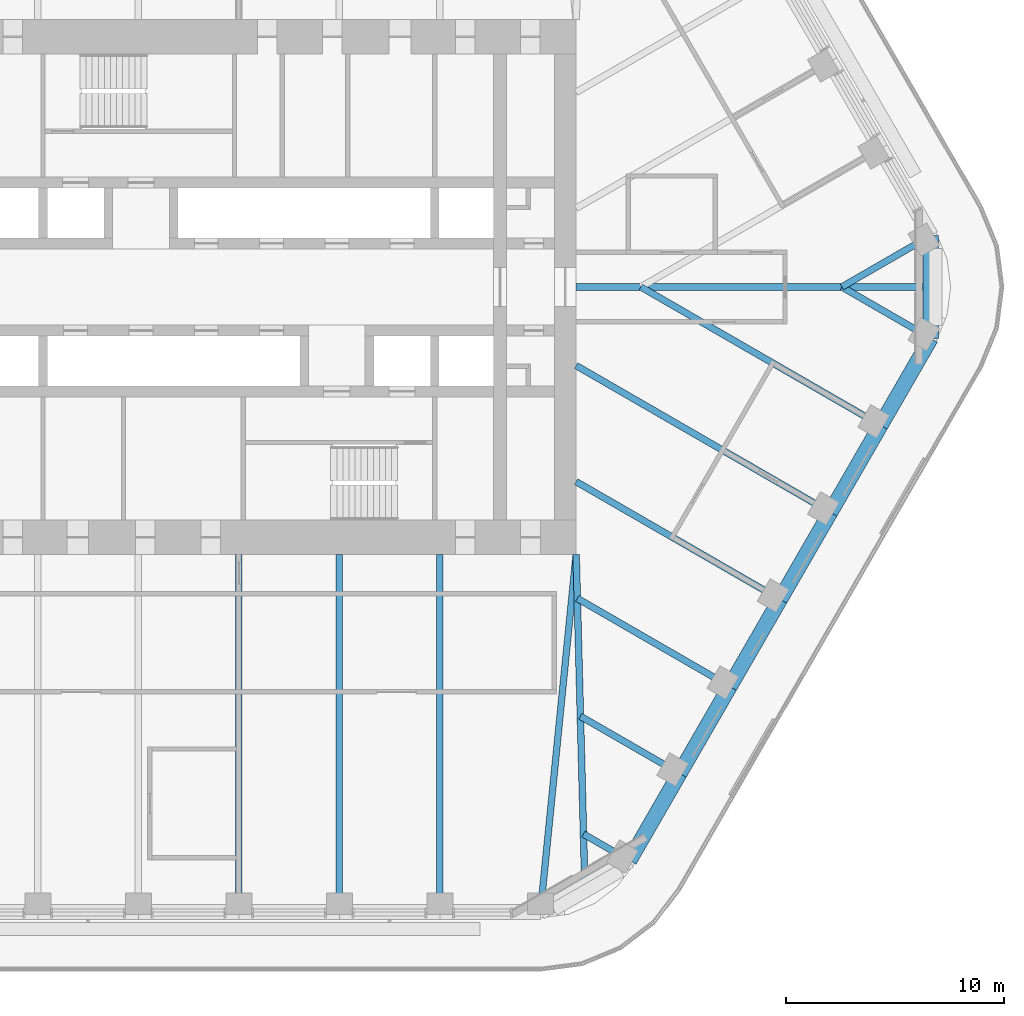
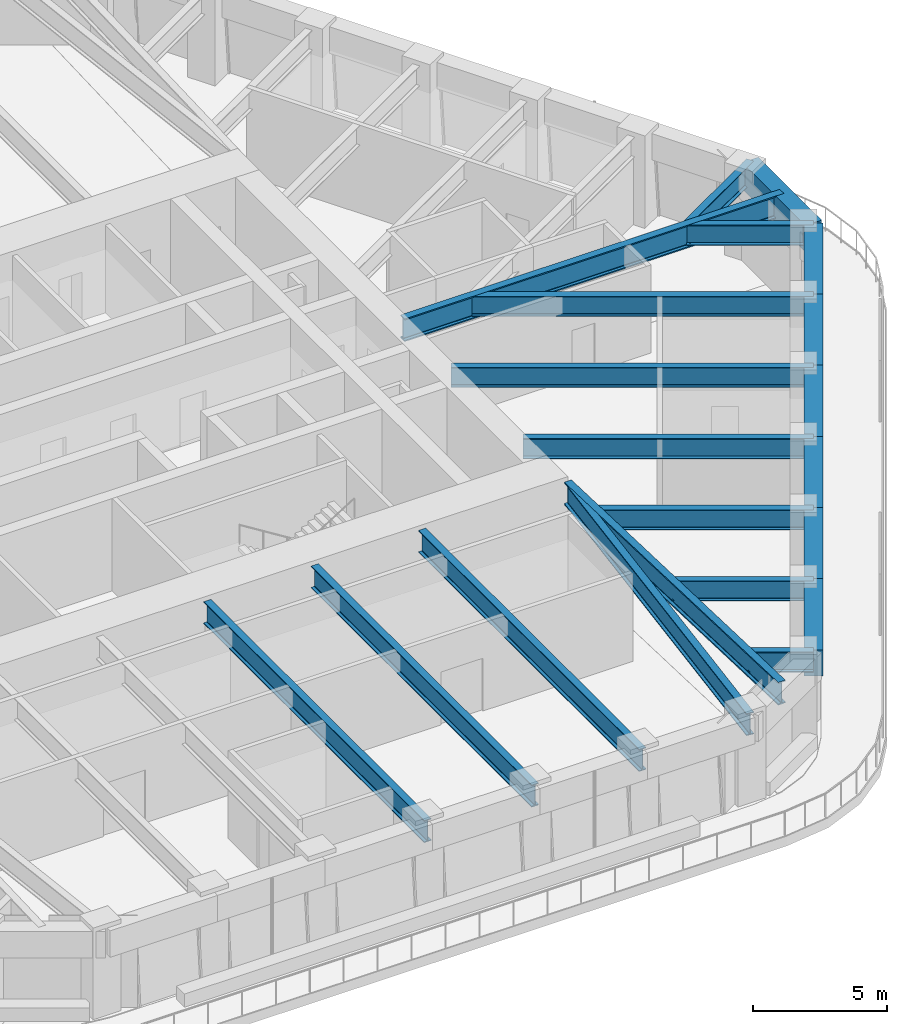
# One storey, part 5 of 20: 21 beams.
"""IFC4 building model written with IfcOpenShell, lengths in metres."""

from ifc_helpers import new_model, si_unit, direction, frame, origin, origin_2d, place, context, subcontext, project, spatial, rectangle, i_section, extrude, material, material_profile, profile_set, type_object, element, save


model = new_model("IFC4")

# Units and contexts
model_context = context("Model", 3, precision=1e-05, world=origin(), true_north=direction((0.0, 1.0)))
body_context = subcontext(model_context, "Body", "Model", "MODEL_VIEW")
ifc_project = project(units=[si_unit("LENGTHUNIT", "METRE"), si_unit("AREAUNIT", "SQUARE_METRE"), si_unit("VOLUMEUNIT", "CUBIC_METRE"), si_unit("PLANEANGLEUNIT", "RADIAN"), si_unit("MASSUNIT", "GRAM", prefix="KILO")], contexts=[model_context])

# Site, building, storey
site_placement = place(None, origin())
site = spatial("IfcSite", under=ifc_project, at=site_placement, CompositionType="ELEMENT")
building_placement = place(site_placement, origin())
building = spatial("IfcBuilding", under=site, at=building_placement, Name="Tarfa Lantern Tower", CompositionType="ELEMENT")
storey_placement = place(building_placement, frame((0.0, 0.0, 257.5)))
storey = spatial("IfcBuildingStorey", under=building, at=storey_placement, Name="L58", CompositionType="ELEMENT", Elevation=257.5)

# Beams
ifc_material_1 = material(Name="Concrete C80/95", Category="concrete")
ifc_material_profile_1 = material_profile(ifc_material_1, rectangle(XDim=0.699951171875, YDim=1.199951171875, at=origin_2d()), Name="RC 700x1200")
ifc_profile_set_1 = profile_set([ifc_material_profile_1], Name="Concrete C80/95")
beam_type_1 = type_object("IfcBeamType", Name="EB3 RC 700x1200", PredefinedType="SPANDREL", material=ifc_profile_set_1)
for number, where, z_axis, x_axis, name in (
    (1, (17.944091796875, -26.360107421875, 3.39990234375), (0.499987836815, 0.866032426089, 0.0), (-0.866032426089, 0.499987836815, 0.0), "Edge beam SE0"),
    (2, (20.25341796875, -22.360107421875, 3.39990234375), (0.499987836815, 0.866032426089, 0.0), (-0.866032426089, 0.499987836815, 0.0), "Edge beam SE1"),
):
    element("IfcBeam", number, at=place(storey_placement, frame(where, z_axis=z_axis, x_axis=x_axis)), inside=storey, type_object=beam_type_1, Name=name, PredefinedType="SPANDREL", context=body_context, shape_type="SweptSolid", body=[
        extrude(rectangle(XDim=0.699951171875, YDim=1.199951171875, at=origin_2d()), origin(), (0.0, 0.0, 1.0), 4.61865234375),
    ])
beam_1_placement = place(storey_placement, frame((22.562744140625, -18.360107421875, 3.39990234375), z_axis=(0.500027479704, 0.866009537788, 0.0), x_axis=(-0.866009537788, 0.500027479704, 0.0)))
element("IfcBeam", 3, at=beam_1_placement, inside=storey, type_object=beam_type_1, Name="Edge beam SE2", PredefinedType="SPANDREL", context=body_context, shape_type="SweptSolid", body=[
    extrude(rectangle(XDim=0.699951171875, YDim=1.199951171875, at=origin_2d()), origin(), (0.0, 0.0, 1.0), 4.618896484375),
])
for number, where, z_axis, x_axis, name in (
    (4, (24.872314453125, -14.360107421875, 3.39990234375), (0.499987836815, 0.866032426089, 0.0), (-0.866032426089, 0.499987836815, 0.0), "Edge beam SE3"),
    (5, (27.181640625, -10.360107421875, 3.39990234375), (0.499987836815, 0.866032426089, 0.0), (-0.866032426089, 0.499987836815, 0.0), "Edge beam SE4"),
):
    element("IfcBeam", number, at=place(storey_placement, frame(where, z_axis=z_axis, x_axis=x_axis)), inside=storey, type_object=beam_type_1, Name=name, PredefinedType="SPANDREL", context=body_context, shape_type="SweptSolid", body=[
        extrude(rectangle(XDim=0.699951171875, YDim=1.199951171875, at=origin_2d()), origin(), (0.0, 0.0, 1.0), 4.61865234375),
    ])
beam_2_placement = place(storey_placement, frame((29.490966796875, -6.360107421875, 3.39990234375), z_axis=(0.500027479704, 0.866009537788, 0.0), x_axis=(-0.866009537788, 0.500027479704, 0.0)))
element("IfcBeam", 6, at=beam_2_placement, inside=storey, type_object=beam_type_1, Name="Edge beam SE5", PredefinedType="SPANDREL", context=body_context, shape_type="SweptSolid", body=[
    extrude(rectangle(XDim=0.699951171875, YDim=1.199951171875, at=origin_2d()), origin(), (0.0, 0.0, 1.0), 4.618896484375),
])
beam_3_placement = place(storey_placement, frame((31.800537109375, -2.360107421875, 3.39990234375), z_axis=(0.0, 1.0, 0.0), x_axis=(-1.0, 0.0, 0.0)))
element("IfcBeam", 7, at=beam_3_placement, inside=storey, type_object=beam_type_1, Name="Edge beam SE6", PredefinedType="SPANDREL", context=body_context, shape_type="SweptSolid", body=[
    extrude(rectangle(XDim=0.699951171875, YDim=1.199951171875, at=origin_2d()), origin(), (0.0, 0.0, 1.0), 4.72021484375),
])
ifc_material_2 = material(Name="Steel S460M", Category="steel")
ifc_material_profile_2 = material_profile(ifc_material_2, i_section(OverallWidth=0.302001953125, OverallDepth=1.008056640625, WebThickness=0.02099609375, FlangeThickness=0.0400390625, FilletRadius=0.030029296875, at=origin_2d()), Name="UB1016x305x349")
ifc_profile_set_2 = profile_set([ifc_material_profile_2], Name="Steel S460M")
beam_type_2 = type_object("IfcBeamType", Name="UB1016x305x349", PredefinedType="BEAM", material=ifc_profile_set_2)
for number, where, z_axis, x_axis, name in (
    (8, (0.0, -28.719970703125, 3.495849609375), (0.0, 1.0, 0.0), (-1.0, 0.0, 0.0), "Floor beam S3"),
    (9, (4.618896484375, -28.719970703125, 3.495849609375), (0.0, 1.0, 0.0), (-1.0, 0.0, 0.0), "Floor beam S4"),
    (10, (9.237548828125, -28.719970703125, 3.495849609375), (0.0, 1.0, 0.0), (-1.0, 0.0, 0.0), "Floor beam S5"),
):
    element("IfcBeam", number, at=place(storey_placement, frame(where, z_axis=z_axis, x_axis=x_axis)), inside=storey, type_object=beam_type_2, Name=name, PredefinedType="BEAM", context=body_context, shape_type="SweptSolid", body=[
        extrude(i_section(OverallWidth=0.302001953125, OverallDepth=1.008056640625, WebThickness=0.02099609375, FlangeThickness=0.0400390625, FilletRadius=0.030029296875, at=origin_2d()), origin(), (0.0, 0.0, 1.0), 16.419921875),
    ])
beam_4_placement = place(storey_placement, frame((13.8564453125, -28.719970703125, 3.495849609375), z_axis=(0.099597466746, 0.995027810977, 0.0), x_axis=(-0.995027810977, 0.099597466746, 0.0)))
element("IfcBeam", 11, at=beam_4_placement, inside=storey, type_object=beam_type_2, Name="Floor beam S6", PredefinedType="BEAM", context=body_context, shape_type="SweptSolid", body=[
    extrude(i_section(OverallWidth=0.302001953125, OverallDepth=1.008056640625, WebThickness=0.02099609375, FlangeThickness=0.0400390625, FilletRadius=0.030029296875, at=origin_2d()), origin(), (0.0, 0.0, 1.0), 16.501953125),
])
ifc_material_profile_3 = material_profile(ifc_material_2, i_section(OverallWidth=0.30859375, OverallDepth=1.036376953125, WebThickness=0.030029296875, FlangeThickness=0.05419921875, FilletRadius=0.030029296875, at=origin_2d()), Name="UB1016x305x487")
ifc_profile_set_3 = profile_set([ifc_material_profile_3], Name="Steel S460M")
beam_type_3 = type_object("IfcBeamType", Name="UB1016x305x487", PredefinedType="BEAM", material=ifc_profile_set_3)
beam_5_placement = place(storey_placement, frame((15.5, 0.0, 3.48193359375), z_axis=(1.0, 0.0, 0.0), x_axis=(0.0, 1.0, 0.0)))
element("IfcBeam", 12, at=beam_5_placement, inside=storey, type_object=beam_type_3, Name="Hip girder E", PredefinedType="BEAM", context=body_context, shape_type="SweptSolid", body=[
    extrude(i_section(OverallWidth=0.30859375, OverallDepth=1.036376953125, WebThickness=0.030029296875, FlangeThickness=0.05419921875, FilletRadius=0.030029296875, at=origin_2d()), origin(), (0.0, 0.0, 1.0), 16.300537109375),
])
beam_6_placement = place(storey_placement, frame((15.5, -12.300048828125, 3.48193359375), z_axis=(0.026247301989, -0.999655480222, 0.0), x_axis=(0.999655480222, 0.026247301989, 0.0)))
element("IfcBeam", 13, at=beam_6_placement, inside=storey, type_object=beam_type_3, Name="Hip girder SE", PredefinedType="BEAM", context=body_context, shape_type="SweptSolid", body=[
    extrude(i_section(OverallWidth=0.30859375, OverallDepth=1.036376953125, WebThickness=0.030029296875, FlangeThickness=0.05419921875, FilletRadius=0.030029296875, at=origin_2d()), origin(), (0.0, 0.0, 1.0), 15.245361328125),
])
ifc_material_profile_4 = material_profile(ifc_material_2, i_section(OverallWidth=0.305419921875, OverallDepth=0.91845703125, WebThickness=0.017333984375, FlangeThickness=0.02783203125, FilletRadius=0.01904296875, at=origin_2d()), Name="UB914x305x253")
ifc_profile_set_4 = profile_set([ifc_material_profile_4], Name="Steel S460M")
beam_type_4 = type_object("IfcBeamType", Name="UB914x305x253", PredefinedType="BEAM", material=ifc_profile_set_4)
beam_7_placement = place(storey_placement, frame((31.800537109375, 2.360107421875, 3.540771484375), z_axis=(-0.866015897305, -0.500016465344, 0.0), x_axis=(0.500016465344, -0.866015897305, 0.0)))
element("IfcBeam", 14, at=beam_7_placement, inside=storey, type_object=beam_type_4, Name="Floor beam NE0", PredefinedType="BEAM", context=body_context, shape_type="SweptSolid", body=[
    extrude(i_section(OverallWidth=0.305419921875, OverallDepth=0.91845703125, WebThickness=0.017333984375, FlangeThickness=0.02783203125, FilletRadius=0.01904296875, at=origin_2d()), origin(), (0.0, 0.0, 1.0), 4.719970703125),
])
beam_8_placement = place(storey_placement, frame((17.944091796875, -26.360107421875, 3.540771484375), z_axis=(-0.865980009423, 0.5000786171, 0.0), x_axis=(-0.5000786171, -0.865980009423, 0.0)))
element("IfcBeam", 15, at=beam_8_placement, inside=storey, type_object=beam_type_4, Name="Floor beam SE0", PredefinedType="BEAM", context=body_context, shape_type="SweptSolid", body=[
    extrude(i_section(OverallWidth=0.305419921875, OverallDepth=0.91845703125, WebThickness=0.017333984375, FlangeThickness=0.02783203125, FilletRadius=0.01904296875, at=origin_2d()), origin(), (0.0, 0.0, 1.0), 2.4326171875),
])
beam_9_placement = place(storey_placement, frame((20.25341796875, -22.360107421875, 3.540771484375), z_axis=(-0.86601951648, 0.500010196972, 0.0), x_axis=(-0.500010196972, -0.86601951648, 0.0)))
element("IfcBeam", 16, at=beam_9_placement, inside=storey, type_object=beam_type_4, Name="Floor beam SE1", PredefinedType="BEAM", context=body_context, shape_type="SweptSolid", body=[
    extrude(i_section(OverallWidth=0.305419921875, OverallDepth=0.91845703125, WebThickness=0.017333984375, FlangeThickness=0.02783203125, FilletRadius=0.01904296875, at=origin_2d()), origin(), (0.0, 0.0, 1.0), 5.263671875),
])
beam_10_placement = place(storey_placement, frame((22.562744140625, -18.360107421875, 3.540771484375), z_axis=(-0.866010787764, 0.500025314835, 0.0), x_axis=(-0.500025314835, -0.866010787764, 0.0)))
element("IfcBeam", 17, at=beam_10_placement, inside=storey, type_object=beam_type_4, Name="Floor beam SE2", PredefinedType="BEAM", context=body_context, shape_type="SweptSolid", body=[
    extrude(i_section(OverallWidth=0.305419921875, OverallDepth=0.91845703125, WebThickness=0.017333984375, FlangeThickness=0.02783203125, FilletRadius=0.01904296875, at=origin_2d()), origin(), (0.0, 0.0, 1.0), 8.09423828125),
])
beam_11_placement = place(storey_placement, frame((24.872314453125, -14.360107421875, 3.540771484375), z_axis=(-0.8660244219, 0.500001700669, 0.0), x_axis=(-0.500001700669, -0.8660244219, 0.0)))
element("IfcBeam", 18, at=beam_11_placement, inside=storey, type_object=beam_type_4, Name="Floor beam SE3", PredefinedType="BEAM", context=body_context, shape_type="SweptSolid", body=[
    extrude(i_section(OverallWidth=0.305419921875, OverallDepth=0.91845703125, WebThickness=0.017333984375, FlangeThickness=0.02783203125, FilletRadius=0.01904296875, at=origin_2d()), origin(), (0.0, 0.0, 1.0), 10.822265625),
])
beam_12_placement = place(storey_placement, frame((27.181640625, -10.360107421875, 3.540771484375), z_axis=(-0.866018002818, 0.500012818631, 0.0), x_axis=(-0.500012818631, -0.866018002818, 0.0)))
element("IfcBeam", 19, at=beam_12_placement, inside=storey, type_object=beam_type_4, Name="Floor beam SE4", PredefinedType="BEAM", context=body_context, shape_type="SweptSolid", body=[
    extrude(i_section(OverallWidth=0.305419921875, OverallDepth=0.91845703125, WebThickness=0.017333984375, FlangeThickness=0.02783203125, FilletRadius=0.01904296875, at=origin_2d()), origin(), (0.0, 0.0, 1.0), 13.489013671875),
])
beam_13_placement = place(storey_placement, frame((29.490966796875, -6.360107421875, 3.540771484375), z_axis=(-0.866022258038, 0.500005448553, 0.0), x_axis=(-0.500005448553, -0.866022258038, 0.0)))
element("IfcBeam", 20, at=beam_13_placement, inside=storey, type_object=beam_type_4, Name="Floor beam SE5", PredefinedType="BEAM", context=body_context, shape_type="SweptSolid", body=[
    extrude(i_section(OverallWidth=0.305419921875, OverallDepth=0.91845703125, WebThickness=0.017333984375, FlangeThickness=0.02783203125, FilletRadius=0.01904296875, at=origin_2d()), origin(), (0.0, 0.0, 1.0), 12.719970703125),
])
beam_14_placement = place(storey_placement, frame((31.800537109375, -2.360107421875, 3.540771484375), z_axis=(-0.866015897305, 0.500016465344, 0.0), x_axis=(-0.500016465344, -0.866015897305, 0.0)))
element("IfcBeam", 21, at=beam_14_placement, inside=storey, type_object=beam_type_4, Name="Floor beam SE6", PredefinedType="BEAM", context=body_context, shape_type="SweptSolid", body=[
    extrude(i_section(OverallWidth=0.305419921875, OverallDepth=0.91845703125, WebThickness=0.017333984375, FlangeThickness=0.02783203125, FilletRadius=0.01904296875, at=origin_2d()), origin(), (0.0, 0.0, 1.0), 4.719970703125),
])

save(model, "model.ifc")
